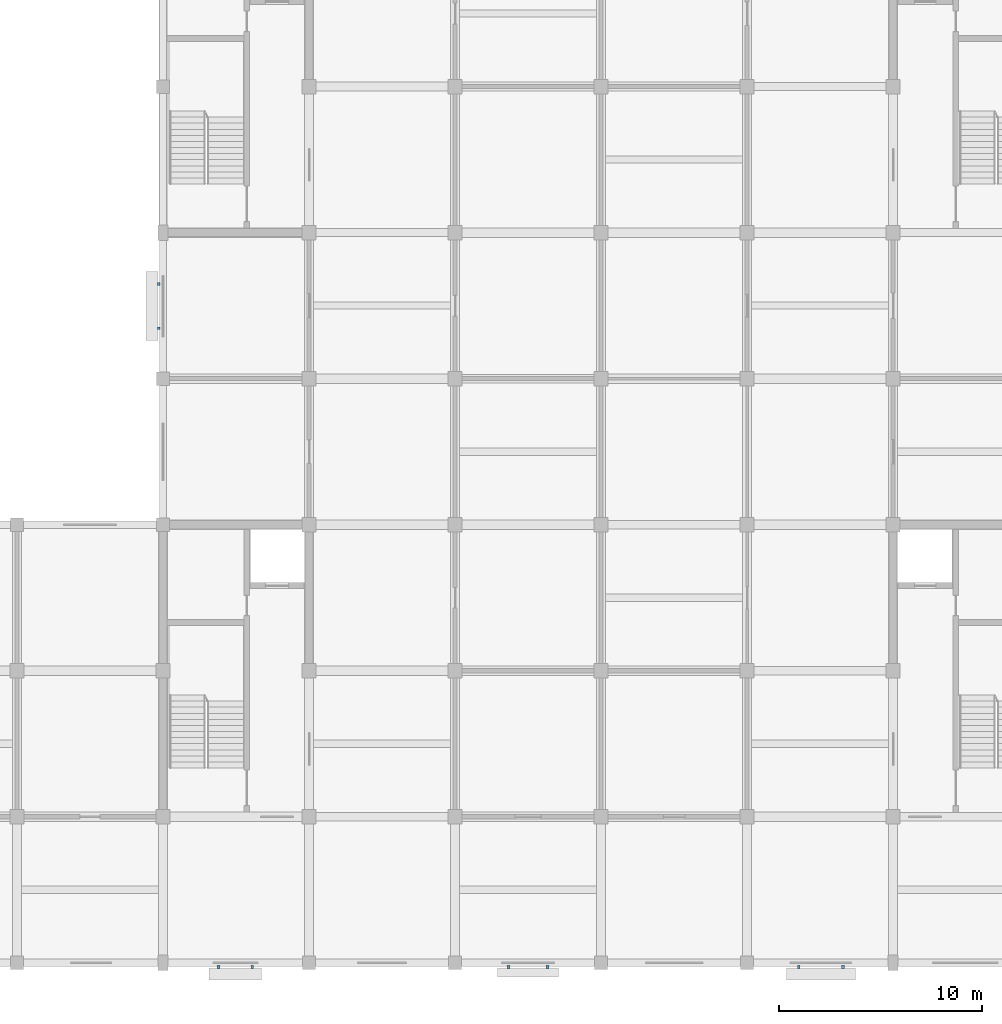
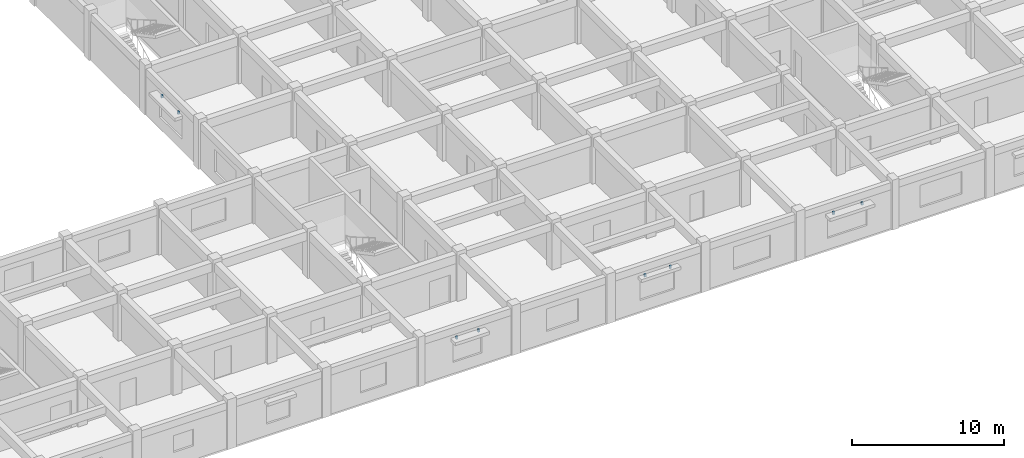
# One storey, part 13 of 16: 8 discrete accessories.
"""IFC4 building model written with IfcOpenShell, lengths in metres."""

from ifc_helpers import new_model, si_unit, direction, frame, origin, origin_2d, place, context, subcontext, project, spatial, rectangle, extrude, material, type_object, element, save


model = new_model("IFC4")

# Units and contexts
model_context = context("Model", 3, precision=1e-05, world=origin(), true_north=direction((0.0, 1.0)))
body_context = subcontext(model_context, "Body", "Model", "MODEL_VIEW")
ifc_project = project(units=[si_unit("LENGTHUNIT", "METRE"), si_unit("AREAUNIT", "SQUARE_METRE"), si_unit("VOLUMEUNIT", "CUBIC_METRE"), si_unit("PLANEANGLEUNIT", "RADIAN"), si_unit("MASSUNIT", "GRAM", prefix="KILO")], contexts=[model_context])

# Site, building, storey
site_placement = place(None, origin())
site = spatial("IfcSite", under=ifc_project, at=site_placement, CompositionType="ELEMENT")
building_placement = place(site_placement, origin())
building = spatial("IfcBuilding", under=site, at=building_placement, Name="Cendaluz Park School", CompositionType="ELEMENT")
storey_placement = place(building_placement, frame((0.0, 0.0, 22.60009765625)))
storey = spatial("IfcBuildingStorey", under=building, at=storey_placement, Name="L05", CompositionType="ELEMENT", Elevation=22.60009765625)

# Discrete accessories
ifc_material = material(Name="Steel S355", Category="steel")
discrete_accessory_type = type_object("IfcDiscreteAccessoryType", Name="BK-01", PredefinedType="BRACKET", material=ifc_material)
for number, where, z_axis, x_axis, name in (
    (1, (67.530517578125, 6.989990234375, 2.72998046875), (0.0, 0.0, 1.0), (1.0, 0.0, 0.0), "BK-L05-151"),
    (2, (69.194580078125, 6.989990234375, 2.72998046875), (0.0, 0.0, 1.0), (1.0, 0.0, 0.0), "BK-L05-152"),
    (3, (64.590087890625, 38.487060546875, 2.72998046875), (0.0, 0.0, 1.0), (0.0, 1.0, 0.0), "BK-L05-153"),
    (4, (64.590087890625, 40.6630859375, 2.72998046875), (0.0, 0.0, 1.0), (0.0, 1.0, 0.0), "BK-L05-154"),
    (5, (81.840087890625, 6.989990234375, 2.72998046875), (0.0, 0.0, 1.0), (1.0, 0.0, 0.0), "BK-L05-155"),
    (6, (83.760009765625, 6.989990234375, 2.72998046875), (0.0, 0.0, 1.0), (1.0, 0.0, 0.0), "BK-L05-156"),
    (7, (96.1494140625, 6.989990234375, 2.72998046875), (0.0, 0.0, 1.0), (1.0, 0.0, 0.0), "BK-L05-157"),
    (8, (98.325439453125, 6.989990234375, 2.72998046875), (0.0, 0.0, 1.0), (1.0, 0.0, 0.0), "BK-L05-158"),
):
    element("IfcDiscreteAccessory", number, at=place(storey_placement, frame(where, z_axis=z_axis, x_axis=x_axis)), inside=storey, type_object=discrete_accessory_type, Name=name, PredefinedType="BRACKET", context=body_context, shape_type="SweptSolid", body=[
        extrude(rectangle(XDim=0.139892578125, YDim=0.139892578125, at=origin_2d()), origin(), (0.0, 0.0, 1.0), 0.219970703125),
    ])

save(model, "model.ifc")
